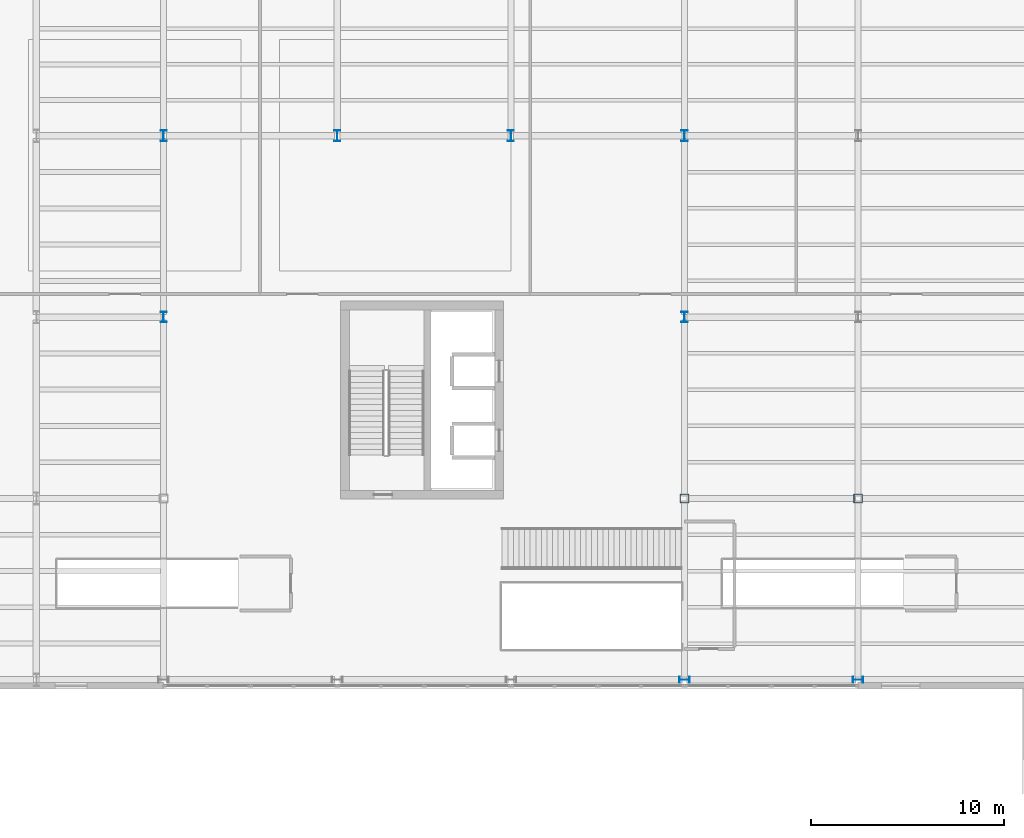
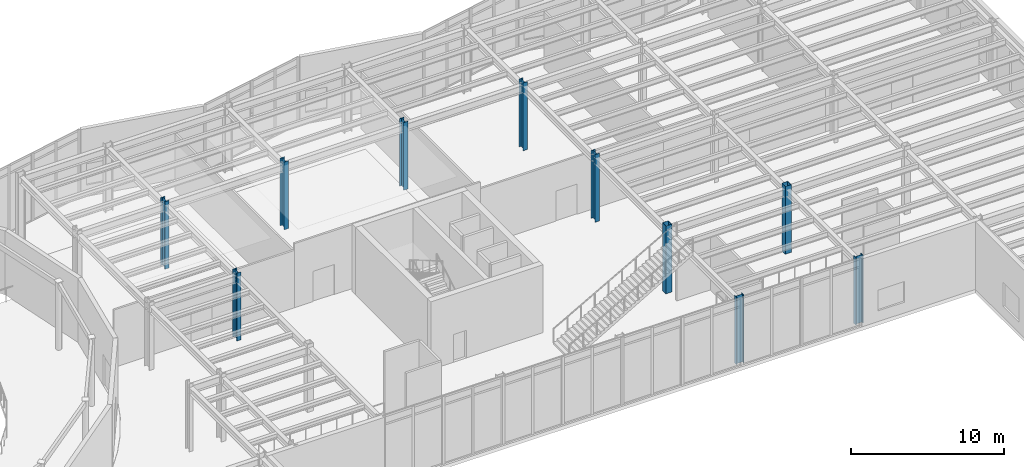
# One storey, part 11 of 98: 10 columns.
"""IFC4 building model written with IfcOpenShell, lengths in metres."""

from ifc_helpers import new_model, si_unit, direction, frame, origin, origin_2d, place, context, subcontext, project, spatial, hollow_rectangle, i_section, extrude, material, material_profile, profile_set, type_object, element, save


model = new_model("IFC4")

# Units and contexts
model_context = context("Model", 3, precision=1e-05, world=origin(), true_north=direction((0.0, 1.0)))
body_context = subcontext(model_context, "Body", "Model", "MODEL_VIEW")
ifc_project = project(units=[si_unit("LENGTHUNIT", "METRE"), si_unit("AREAUNIT", "SQUARE_METRE"), si_unit("VOLUMEUNIT", "CUBIC_METRE"), si_unit("PLANEANGLEUNIT", "RADIAN"), si_unit("MASSUNIT", "GRAM", prefix="KILO")], contexts=[model_context])

# Site, building, storey
site_placement = place(None, origin())
site = spatial("IfcSite", under=ifc_project, at=site_placement, CompositionType="ELEMENT")
building_placement = place(site_placement, origin())
building = spatial("IfcBuilding", under=site, at=building_placement, Name="Sollismere Congress Hotel", CompositionType="ELEMENT")
storey_placement = place(building_placement, frame((0.0, 0.0, 5.39990234375)))
storey = spatial("IfcBuildingStorey", under=building, at=storey_placement, Name="L01", CompositionType="ELEMENT", Elevation=5.39990234375)

# Columns
ifc_material_1 = material(Name="Steel ASTM A500 Grade C", Category="steel")
ifc_material_profile_1 = material_profile(ifc_material_1, hollow_rectangle(XDim=0.449951171875, YDim=0.449951171875, WallThickness=0.01611328125, at=origin_2d()), Name="HSS450X450X16")
ifc_profile_set_1 = profile_set([ifc_material_profile_1], Name="Steel ASTM A500 Grade C")
column_type_1 = type_object("IfcColumnType", Name="COL-HSS450I", PredefinedType="COLUMN", material=ifc_profile_set_1)
for number, where, z_axis, x_axis, name in (
    (1, (94.0, 76.199951171875, 0.0), (0.0, 0.0, 1.0), (1.0, 0.0, 0.0), "Column CL-L01-491"),
    (2, (103.0, 76.199951171875, 0.0), (0.0, 0.0, 1.0), (1.0, 0.0, 0.0), "Column CL-L01-549"),
):
    element("IfcColumn", number, at=place(storey_placement, frame(where, z_axis=z_axis, x_axis=x_axis)), inside=storey, type_object=column_type_1, Name=name, PredefinedType="COLUMN", context=body_context, shape_type="SweptSolid", body=[
        extrude(hollow_rectangle(XDim=0.449951171875, YDim=0.449951171875, WallThickness=0.01611328125, at=origin_2d()), origin(), (0.0, 0.0, 1.0), 5.400146484375),
    ])
ifc_material_2 = material(Name="Steel ASTM A992 Grade 50", Category="steel")
ifc_material_profile_2 = material_profile(ifc_material_2, i_section(OverallWidth=0.31494140625, OverallDepth=0.551025390625, WebThickness=0.01513671875, FlangeThickness=0.0244140625, at=origin_2d()), Name="W21X122")
ifc_profile_set_2 = profile_set([ifc_material_profile_2], Name="Steel ASTM A992 Grade 50")
column_type_2 = type_object("IfcColumnType", Name="COL-W21", PredefinedType="COLUMN", material=ifc_profile_set_2)
for number, where, z_axis, x_axis, name in (
    (3, (67.0, 85.60009765625, 0.0), (0.0, 0.0, 1.0), (1.0, 0.0, 0.0), "Column CL-L01-328"),
    (4, (67.0, 95.0, 0.0), (0.0, 0.0, 1.0), (1.0, 0.0, 0.0), "Column CL-L01-334"),
    (5, (76.0, 95.0, 0.0), (0.0, 0.0, 1.0), (1.0, 0.0, 0.0), "Column CL-L01-386"),
    (6, (85.0, 95.0, 0.0), (0.0, 0.0, 1.0), (1.0, 0.0, 0.0), "Column CL-L01-445"),
    (7, (94.0, 66.800048828125, 0.0), (0.0, 0.0, 1.0), (0.0, 1.0, 0.0), "Column CL-L01-485"),
    (8, (94.0, 85.60009765625, 0.0), (0.0, 0.0, 1.0), (1.0, 0.0, 0.0), "Column CL-L01-497"),
    (9, (94.0, 95.0, 0.0), (0.0, 0.0, 1.0), (1.0, 0.0, 0.0), "Column CL-L01-503"),
    (10, (103.0, 66.800048828125, 0.0), (0.0, 0.0, 1.0), (0.0, 1.0, 0.0), "Column CL-L01-543"),
):
    element("IfcColumn", number, at=place(storey_placement, frame(where, z_axis=z_axis, x_axis=x_axis)), inside=storey, type_object=column_type_2, Name=name, PredefinedType="COLUMN", context=body_context, shape_type="SweptSolid", body=[
        extrude(i_section(OverallWidth=0.31494140625, OverallDepth=0.551025390625, WebThickness=0.01513671875, FlangeThickness=0.0244140625, at=origin_2d()), origin(), (0.0, 0.0, 1.0), 5.400146484375),
    ])

save(model, "model.ifc")
